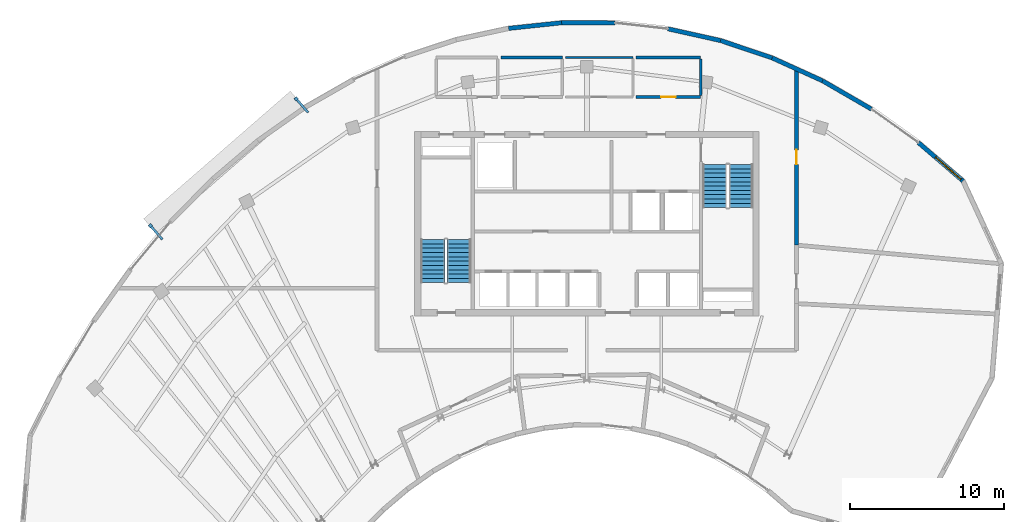
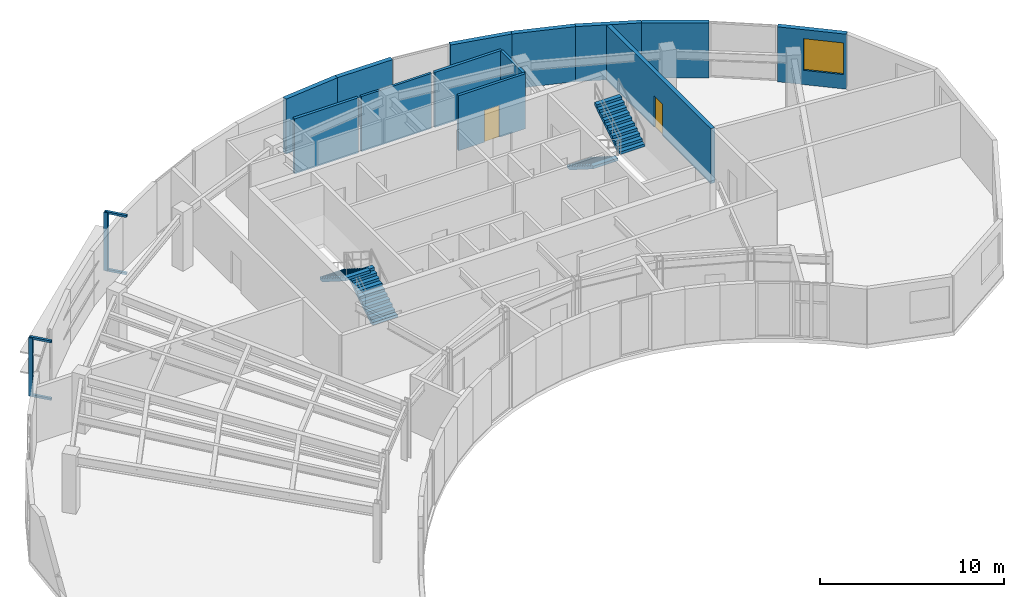
# One storey, part 11 of 12: 13 walls, 6 discrete accessories, 4 stair flights, 2 doors, 1 window, 3 openings, 2 elements without a shape of their own.
"""IFC4 building model written with IfcOpenShell, lengths in metres."""

import ifcopenshell
import ifcopenshell.guid

model = None  # the IFC model being written
_history = None  # IfcOwnerHistory: only IFC2X3 demands one
_inside = {}  # id of a spatial element -> (the spatial element, [elements in it])
_under = {}  # id of a project, library or spatial element -> (it, [spatial elements below it])
_declared = {}  # id of a project -> (the project, [libraries it declares])
_typed = {}  # id of a type object -> (the type object, [elements of that type])
_made_of = {}  # id of a material, layer set ... -> (it, [elements and type objects made of it])


def new_model(schema):
    """Start an empty IFC model of exactly this schema.

    Asked for "IFC4X3", IfcOpenShell would pick the latest addendum, in which some entities
    have other attributes; the version numbers below select the first issue.
    IFC2X3 requires an IfcOwnerHistory on every rooted entity: one is made here for all.
    """
    global model, _history
    if schema == "IFC4X3":
        model = ifcopenshell.file(schema_version=(4, 3, 0, 0))
    else:
        model = ifcopenshell.file(schema=schema)
    _inside.clear()
    _under.clear()
    _declared.clear()
    _typed.clear()
    _made_of.clear()
    _history = None
    if model.schema == "IFC2X3":
        org = make("IfcOrganization", Name="unknown")
        user = make(
            "IfcPersonAndOrganization",
            ThePerson=make("IfcPerson", FamilyName="unknown"),
            TheOrganization=org,
        )
        app = make(
            "IfcApplication",
            ApplicationDeveloper=org,
            Version="unknown",
            ApplicationFullName="unknown",
            ApplicationIdentifier="unknown",
        )
        _history = make(
            "IfcOwnerHistory",
            OwningUser=user,
            OwningApplication=app,
            ChangeAction="ADDED",
            CreationDate=0,
        )
    return model


def make(cls, **values):
    """One entity of the class cls with the attributes given. An attribute that is None is left unset."""
    return model.create_entity(
        cls, **{name: value for name, value in values.items() if value is not None}
    )


def rooted(cls, **values):
    """An entity with a GlobalId (a new one), such as an element, a storey or a relation."""
    return make(cls, GlobalId=ifcopenshell.guid.new(), OwnerHistory=_history, **values)


def si_unit(unit_type, name, prefix=None):
    """IfcSIUnit, for example si_unit("LENGTHUNIT", "METRE", prefix="MILLI")."""
    return make("IfcSIUnit", UnitType=unit_type, Prefix=prefix, Name=name)


def assignment(units):
    """IfcUnitAssignment: the units of a project."""
    return None if units is None else make("IfcUnitAssignment", Units=units)


def point(xyz):
    """IfcCartesianPoint."""
    return None if xyz is None else make("IfcCartesianPoint", Coordinates=xyz)


def direction(xyz):
    """IfcDirection."""
    return None if xyz is None else make("IfcDirection", DirectionRatios=xyz)


def frame(location, z_axis=None, x_axis=None):
    """IfcAxis2Placement3D, a coordinate frame: its origin and axes. An axis left out is left unset."""
    return make(
        "IfcAxis2Placement3D",
        Location=point(location),
        Axis=direction(z_axis),
        RefDirection=direction(x_axis),
    )


def frame_2d(location, x_axis=None):
    """IfcAxis2Placement2D, a coordinate frame in the plane: its origin and x axis."""
    return make(
        "IfcAxis2Placement2D", Location=point(location), RefDirection=direction(x_axis)
    )


def origin():
    """The frame at (0, 0, 0) with its axes left unset."""
    return frame((0.0, 0.0, 0.0))


def origin_2d():
    """The frame at (0, 0) in the plane with its x axis left unset."""
    return frame_2d((0.0, 0.0))


def place(relative_to, where):
    """IfcLocalPlacement: puts the frame where relative to a parent placement (None: the world)."""
    return make(
        "IfcLocalPlacement", PlacementRelTo=relative_to, RelativePlacement=where
    )


def context(
    kind, dimensions, precision=None, world=None, true_north=None, identifier=None
):
    """IfcGeometricRepresentationContext, for example the 3D "Model" context."""
    return make(
        "IfcGeometricRepresentationContext",
        ContextIdentifier=identifier,
        ContextType=kind,
        CoordinateSpaceDimension=dimensions,
        Precision=precision,
        WorldCoordinateSystem=world,
        TrueNorth=true_north,
    )


def subcontext(parent, identifier, kind, view, scale=None):
    """IfcGeometricRepresentationSubContext, for example "Body" below "Model"."""
    return make(
        "IfcGeometricRepresentationSubContext",
        ContextIdentifier=identifier,
        ContextType=kind,
        ParentContext=parent,
        TargetScale=scale,
        TargetView=view,
    )


def project(units=None, contexts=None):
    """IfcProject with its units and contexts."""
    return rooted(
        "IfcProject",
        Name="project",
        RepresentationContexts=contexts,
        UnitsInContext=assignment(units),
    )


def spatial(cls, under=None, at=None, **own):
    """A site, building, storey or space (cls), placed at a placement, below another one or the project."""
    s = rooted(cls, ObjectPlacement=at, **own)
    if under is not None:
        _under.setdefault(under.id(), (under, []))[1].append(s)
    return s


def polyline(points):
    """IfcPolyline through the points."""
    return make("IfcPolyline", Points=[point(p) for p in points])


def profile(cls, at=None, kind="AREA", **sizes):
    """A parametric profile (cls). Its sizes go by their IFC names, for example OverallWidth=200.0."""
    return make(cls, ProfileType=kind, Position=at, **sizes)


def rectangle(**sizes):
    """IfcRectangleProfileDef."""
    return profile("IfcRectangleProfileDef", **sizes)


def outline(outer, holes=None, kind="AREA"):
    """IfcArbitraryClosedProfileDef: a profile drawn as a closed curve; with holes, ...WithVoids."""
    if holes is None:
        return make("IfcArbitraryClosedProfileDef", ProfileType=kind, OuterCurve=outer)
    return make(
        "IfcArbitraryProfileDefWithVoids",
        ProfileType=kind,
        OuterCurve=outer,
        InnerCurves=holes,
    )


def extrude(swept, where, along, depth):
    """IfcExtrudedAreaSolid: the profile swept, set in the frame where, extruded along a direction by depth."""
    return make(
        "IfcExtrudedAreaSolid",
        SweptArea=swept,
        Position=where,
        ExtrudedDirection=direction(along),
        Depth=depth,
    )


def shape(context_of_items, identifier, shape_type, items):
    """IfcShapeRepresentation: the items that make up one representation, for example the "Body"."""
    return make(
        "IfcShapeRepresentation",
        ContextOfItems=context_of_items,
        RepresentationIdentifier=identifier,
        RepresentationType=shape_type,
        Items=items,
    )


def source(mapping_origin, context_of_items, identifier, shape_type, items):
    """IfcRepresentationMap: a shape defined once, which mapped items show again and again."""
    return make(
        "IfcRepresentationMap",
        MappingOrigin=mapping_origin,
        MappedRepresentation=shape(context_of_items, identifier, shape_type, items),
    )


def transform(
    local_origin,
    x_axis=None,
    y_axis=None,
    z_axis=None,
    scale=None,
    scale2=None,
    scale3=None,
    uniform=True,
):
    """IfcCartesianTransformationOperator3D, or its non-uniform kind. x_axis, y_axis, z_axis: its Axis1, 2, 3."""
    if uniform:
        return make(
            "IfcCartesianTransformationOperator3D",
            Axis1=direction(x_axis),
            Axis2=direction(y_axis),
            LocalOrigin=point(local_origin),
            Scale=scale,
            Axis3=direction(z_axis),
        )
    return make(
        "IfcCartesianTransformationOperator3DnonUniform",
        Axis1=direction(x_axis),
        Axis2=direction(y_axis),
        LocalOrigin=point(local_origin),
        Scale=scale,
        Axis3=direction(z_axis),
        Scale2=scale2,
        Scale3=scale3,
    )


def mapped(mapping_source, mapping_target):
    """IfcMappedItem: shows the shape of a source again, moved by a transform."""
    return make(
        "IfcMappedItem", MappingSource=mapping_source, MappingTarget=mapping_target
    )


def material(Name=None, Category=None):
    """IfcMaterial."""
    return make("IfcMaterial", Name=Name, Category=Category)


def layer(
    of_material, thickness, ventilated=None, Name=None, Category=None, Priority=None
):
    """IfcMaterialLayer: one layer of a wall or slab, of a material (None: an air gap)."""
    return make(
        "IfcMaterialLayer",
        Material=of_material,
        LayerThickness=thickness,
        IsVentilated=ventilated,
        Name=Name,
        Category=Category,
        Priority=Priority,
    )


def layer_set(layers, Name=None):
    """IfcMaterialLayerSet."""
    return make("IfcMaterialLayerSet", MaterialLayers=layers, LayerSetName=Name)


def made_of(thing, what):
    """Note that an element or type object is made of a material, layer set ...; save() writes the relation."""
    if what is not None:
        _made_of.setdefault(what.id(), (what, []))[1].append(thing)
    return thing


def type_object(cls, material=None, **own):
    """A type object (cls), such as IfcWallType, which elements share."""
    return made_of(rooted(cls, **own), material)


def type_shapes(of_type, sources):
    """Give a type object the sources (RepresentationMaps) that its elements show as mapped items."""
    of_type.RepresentationMaps = sources


def element(
    cls,
    number,
    at=None,
    inside=None,
    cuts=None,
    type_object=None,
    material=None,
    context=None,
    identifier="Body",
    shape_type=None,
    held_by="IfcProductDefinitionShape",
    body=None,
    shapes=None,
    **own,
):
    """One element of the class cls, such as IfcWall. Its Tag is "e" and its number.

    at: its placement. inside: the storey or other place that contains it. cuts: it is an
    opening in that element (IfcRelVoidsElement). A single representation is given by context,
    identifier, shape_type and body (its items); several are given by shapes. held_by: the class
    of the entity that holds the representations. save() writes the other relations.
    """
    e = rooted(cls, Tag="e%d" % number, ObjectPlacement=at, **own)
    if body is not None:
        shapes = [shape(context, identifier, shape_type, body)]
    if shapes is not None:
        e.Representation = make(held_by, Representations=shapes)
    if inside is not None:
        _inside.setdefault(inside.id(), (inside, []))[1].append(e)
    if cuts is not None:
        rooted(
            "IfcRelVoidsElement", RelatingBuildingElement=cuts, RelatedOpeningElement=e
        )
    if type_object is not None:
        _typed.setdefault(type_object.id(), (type_object, []))[1].append(e)
    return made_of(e, material)


def fill(opening, filler):
    """IfcRelFillsElement: the door or window that sits in an opening."""
    return rooted(
        "IfcRelFillsElement",
        RelatingOpeningElement=opening,
        RelatedBuildingElement=filler,
    )


def aggregate(whole, parts):
    """IfcRelAggregates: a whole, such as a stair, and the parts it consists of."""
    return rooted("IfcRelAggregates", RelatingObject=whole, RelatedObjects=parts)


def save(model, path):
    """Write the relations noted so far, then the file.

    IfcRelAggregates (storeys below a building ...), IfcRelContainedInSpatialStructure (elements
    in a storey), IfcRelDefinesByType, IfcRelAssociatesMaterial and IfcRelDeclares: one each for
    every whole, place, type object, material and project.
    """
    for whole, parts in _under.values():
        aggregate(whole, parts)
    for where, things in _inside.values():
        rooted(
            "IfcRelContainedInSpatialStructure",
            RelatedElements=things,
            RelatingStructure=where,
        )
    for kind, things in _typed.values():
        rooted("IfcRelDefinesByType", RelatedObjects=things, RelatingType=kind)
    for what, things in _made_of.values():
        rooted("IfcRelAssociatesMaterial", RelatedObjects=things, RelatingMaterial=what)
    for by, libraries in _declared.values():
        rooted("IfcRelDeclares", RelatingContext=by, RelatedDefinitions=libraries)
    model.write(path)


model = new_model("IFC4")

# Units and contexts
model_context = context("Model", 3, precision=1e-05, world=origin(), true_north=direction((0.0, 1.0)))
body_context = subcontext(model_context, "Body", "Model", "MODEL_VIEW")
ifc_project = project(units=[si_unit("LENGTHUNIT", "METRE"), si_unit("AREAUNIT", "SQUARE_METRE"), si_unit("VOLUMEUNIT", "CUBIC_METRE"), si_unit("PLANEANGLEUNIT", "RADIAN"), si_unit("MASSUNIT", "GRAM", prefix="KILO")], contexts=[model_context])

# Site, building, storey
site_placement = place(None, origin())
site = spatial("IfcSite", under=ifc_project, at=site_placement, CompositionType="ELEMENT")
building_placement = place(site_placement, origin())
building = spatial("IfcBuilding", under=site, at=building_placement, Name="Breltana Convention Tower", CompositionType="ELEMENT")
storey_placement = place(building_placement, frame((0.0, 0.0, 260.10009765625)))
storey = spatial("IfcBuildingStorey", under=building, at=storey_placement, Name="L63", CompositionType="ELEMENT", Elevation=260.10009765625)

# Walls
ifc_material_1 = material(Name="Limestone Buff Insulated Wall", Category="masonry")
ifc_layer_1 = layer(ifc_material_1, 0.280029296875, Name="Limestone Buff Insulated Wall")
ifc_layer_set_1 = layer_set([ifc_layer_1], Name="Limestone Buff Insulated Wall")
wall_type_1 = type_object("IfcWallType", Name="WL-EXT-NOSE-280", PredefinedType="SOLIDWALL", material=ifc_layer_set_1)
shared_shape_1 = source(origin(), body_context, "Body", "SweptSolid", [
    extrude(rectangle(XDim=3.469970703125, YDim=0.280029296875, at=frame_2d((1.73486328125, 0.0))), origin(), (0.0, 0.0, 1.0), 3.64990234375),
])
wall_1_placement = place(storey_placement, frame((42.911865234375, 78.897705078125, 0.0), z_axis=(0.0, 0.0, 1.0), x_axis=(0.994423031906, 0.105464845396, 0.0)))
element("IfcWall", 1, at=wall_1_placement, inside=storey, type_object=wall_type_1, Name="L63 curved limestone nose wall E27", PredefinedType="SOLIDWALL", context=body_context, shape_type="MappedRepresentation", body=[
    mapped(shared_shape_1, transform((0.0, 0.0, 0.0), scale=1.0)),
])
shared_shape_2 = source(origin(), body_context, "Body", "SweptSolid", [
    extrude(rectangle(XDim=3.4609375, YDim=0.280029296875, at=frame_2d((1.73046875, 0.0))), origin(), (0.0, 0.0, 1.0), 3.64990234375),
])
wall_2_placement = place(storey_placement, frame((46.362548828125, 79.263671875, 0.0), z_axis=(0.0, 0.0, 1.0), x_axis=(0.999995611073, -0.002962740947, 0.0)))
element("IfcWall", 2, at=wall_2_placement, inside=storey, type_object=wall_type_1, Name="L63 curved limestone nose wall E28", PredefinedType="SOLIDWALL", context=body_context, shape_type="MappedRepresentation", body=[
    mapped(shared_shape_2, transform((0.0, 0.0, 0.0), scale=1.0)),
])
shared_shape_3 = source(origin(), body_context, "Body", "SweptSolid", [
    extrude(rectangle(XDim=3.49853515625, YDim=0.280029296875, at=frame_2d((1.749267578125, 0.0))), origin(), (0.0, 0.0, 1.0), 3.64990234375),
])
wall_3_placement = place(storey_placement, frame((53.27294921875, 78.867431640625, 0.0), z_axis=(0.0, 0.0, 1.0), x_axis=(0.976149279518, -0.217100400957, 0.0)))
element("IfcWall", 3, at=wall_3_placement, inside=storey, type_object=wall_type_1, Name="L63 curved limestone nose wall E29", PredefinedType="SOLIDWALL", context=body_context, shape_type="MappedRepresentation", body=[
    mapped(shared_shape_3, transform((0.0, 0.0, 0.0), scale=1.0)),
])
shared_shape_4 = source(origin(), body_context, "Body", "SweptSolid", [
    extrude(rectangle(XDim=3.54296875, YDim=0.280029296875, at=frame_2d((1.771484375, 0.0))), origin(), (0.0, 0.0, 1.0), 3.64990234375),
])
wall_4_placement = place(storey_placement, frame((56.68798828125, 78.10791015625, 0.0), z_axis=(0.0, 0.0, 1.0), x_axis=(0.947922565312, -0.318500879389, 0.0)))
element("IfcWall", 4, at=wall_4_placement, inside=storey, type_object=wall_type_1, Name="L63 curved limestone nose wall E30", PredefinedType="SOLIDWALL", context=body_context, shape_type="MappedRepresentation", body=[
    mapped(shared_shape_4, transform((0.0, 0.0, 0.0), scale=1.0)),
])
shared_shape_5 = source(origin(), body_context, "Body", "SweptSolid", [
    extrude(rectangle(XDim=3.6025390625, YDim=0.280029296875, at=frame_2d((1.80126953125, 0.0))), origin(), (0.0, 0.0, 1.0), 3.64990234375),
])
wall_5_placement = place(storey_placement, frame((60.04638671875, 76.9794921875, 0.0), z_axis=(0.0, 0.0, 1.0), x_axis=(0.910463926817, -0.413588488676, 0.0)))
element("IfcWall", 5, at=wall_5_placement, inside=storey, type_object=wall_type_1, Name="L63 curved limestone nose wall E31", PredefinedType="SOLIDWALL", context=body_context, shape_type="MappedRepresentation", body=[
    mapped(shared_shape_5, transform((0.0, 0.0, 0.0), scale=1.0)),
])
shared_shape_6 = source(origin(), body_context, "Body", "SweptSolid", [
    extrude(rectangle(XDim=3.6748046875, YDim=0.280029296875, at=frame_2d((1.83740234375, 0.0))), origin(), (0.0, 0.0, 1.0), 3.64990234375),
])
wall_6_placement = place(storey_placement, frame((63.326416015625, 75.489501953125, 0.0), z_axis=(0.0, 0.0, 1.0), x_axis=(0.865333783584, -0.501196012542, 0.0)))
element("IfcWall", 6, at=wall_6_placement, inside=storey, type_object=wall_type_1, Name="L63 curved limestone nose wall E32", PredefinedType="SOLIDWALL", context=body_context, shape_type="MappedRepresentation", body=[
    mapped(shared_shape_6, transform((0.0, 0.0, 0.0), scale=1.0)),
])

# Wall, opening, window
shared_shape_7 = source(origin(), body_context, "Body", "SweptSolid", [
    extrude(rectangle(XDim=3.816162109375, YDim=0.280029296875, at=frame_2d((1.908203125, 0.0))), origin(), (0.0, 0.0, 1.0), 3.64990234375),
])
wall_7_placement = place(storey_placement, frame((69.5654296875, 71.466064453125, 0.0), z_axis=(0.0, 0.0, 1.0), x_axis=(0.758388845672, -0.651802392417, 0.0)))
wall_7 = element("IfcWall", 7, at=wall_7_placement, inside=storey, type_object=wall_type_1, Name="L63 curved limestone nose wall E33", PredefinedType="SOLIDWALL", context=body_context, shape_type="MappedRepresentation", body=[
    mapped(shared_shape_7, transform((0.0, 0.0, 0.0), scale=1.0)),
])
opening_1_placement = place(wall_7_placement, frame((1.455810546875, 0.0, 0.949951171875)))
opening_1 = element("IfcOpeningElement", 8, at=opening_1_placement, cuts=wall_7, Name="Opening W-03", PredefinedType="OPENING", context=body_context, shape_type="SweptSolid", body=[
    extrude(rectangle(XDim=2.199951171875, YDim=2.10009765625, at=frame_2d((1.10009765625, 1.050048828125))), frame((0.0, 0.14990234375, 0.0), z_axis=(0.0, -1.0, 0.0), x_axis=(1.0, 0.0, 0.0)), (0.0, 0.0, 1.0), 0.300048828125),
])
ifc_material_2 = material(Name="Glass Low-E Insulated Window", Category="glass")
window_type = type_object("IfcWindowType", Name="WN-NOSE-2200X2100", PartitioningType="TRIPLE_PANEL_VERTICAL", PredefinedType="WINDOW", material=ifc_material_2)
shared_shape_8 = source(origin(), body_context, "Body", "SweptSolid", [
    extrude(rectangle(XDim=2.199951171875, YDim=2.10009765625, at=frame_2d((1.10009765625, 1.050048828125))), frame((0.0, 0.030029296875, 0.0), z_axis=(0.0, -1.0, 0.0), x_axis=(1.0, 0.0, 0.0)), (0.0, 0.0, 1.0), 0.06005859375),
])
type_shapes(window_type, [shared_shape_8])
window_placement = place(opening_1_placement, origin())
window = element("IfcWindow", 9, at=window_placement, inside=storey, type_object=window_type, Name="L63 nose window E33", OverallHeight=2.10009765625, OverallWidth=2.199951171875, PartitioningType="TRIPLE_PANEL_VERTICAL", PredefinedType="WINDOW", context=body_context, shape_type="MappedRepresentation", body=[
    mapped(shared_shape_8, transform((0.0, 0.0, 0.0), scale=1.0)),
])
fill(opening_1, window)

# Walls
ifc_material_3 = material(Name="Moisture-Resistant Gypsum Chase Wall")
ifc_layer_2 = layer(ifc_material_3, 0.179931640625, Name="Moisture-Resistant Gypsum Chase Wall")
ifc_layer_set_2 = layer_set([ifc_layer_2], Name="Moisture-Resistant Gypsum Chase Wall")
wall_type_2 = type_object("IfcWallType", Name="WL-PLUMB-180", PredefinedType="PLUMBINGWALL", material=ifc_layer_set_2)
shared_shape_9 = source(origin(), body_context, "Body", "SweptSolid", [
    extrude(rectangle(XDim=4.0, YDim=0.179931640625, at=frame_2d((2.0, 0.0))), origin(), (0.0, 0.0, 1.0), 3.64990234375),
])
wall_8_placement = place(storey_placement, frame((42.39990234375, 77.0, 0.0), z_axis=(0.0, 0.0, 1.0), x_axis=(1.0, 0.0, 0.0)))
element("IfcWall", 10, at=wall_8_placement, inside=storey, type_object=wall_type_2, Name="L63 interior partition W-L63-WCF-N", PredefinedType="PLUMBINGWALL", context=body_context, shape_type="MappedRepresentation", body=[
    mapped(shared_shape_9, transform((0.0, 0.0, 0.0), scale=1.0)),
])
ifc_material_4 = material(Name="Cement Board Wet-Area Partition")
ifc_layer_3 = layer(ifc_material_4, 0.175048828125, Name="Cement Board Wet-Area Partition")
ifc_layer_set_3 = layer_set([ifc_layer_3], Name="Cement Board Wet-Area Partition")
wall_type_3 = type_object("IfcWallType", Name="WL-WET-175", PredefinedType="PARTITIONING", material=ifc_layer_set_3)
shared_shape_10 = source(origin(), body_context, "Body", "SweptSolid", [
    extrude(rectangle(XDim=2.402587890625, YDim=0.175048828125, at=frame_2d((1.201171875, 0.0))), origin(), (0.0, 0.0, 1.0), 3.64990234375),
])
wall_9_placement = place(storey_placement, frame((55.39990234375, 74.518798828125, 0.0), z_axis=(0.0, 0.0, 1.0), x_axis=(0.0, 1.0, 0.0)))
element("IfcWall", 11, at=wall_9_placement, inside=storey, type_object=wall_type_3, Name="L63 interior partition W-L63-WCA-E", PredefinedType="PARTITIONING", context=body_context, shape_type="MappedRepresentation", body=[
    mapped(shared_shape_10, transform((0.0, 0.0, 0.0), scale=1.0)),
])
ifc_material_5 = material(Name="Gypsum Acoustic Drywall Partition")
ifc_layer_4 = layer(ifc_material_5, 0.14990234375, Name="Gypsum Acoustic Drywall Partition")
ifc_layer_set_4 = layer_set([ifc_layer_4], Name="Gypsum Acoustic Drywall Partition")
wall_type_4 = type_object("IfcWallType", Name="WL-PART-150", PredefinedType="PARTITIONING", material=ifc_layer_set_4)
shared_shape_11 = source(origin(), body_context, "Body", "SweptSolid", [
    extrude(rectangle(XDim=4.39990234375, YDim=0.14990234375, at=frame_2d((2.199951171875, 0.0))), origin(), (0.0, 0.0, 1.0), 3.64990234375),
])
wall_10_placement = place(storey_placement, frame((46.60009765625, 77.0, 0.0), z_axis=(0.0, 0.0, 1.0), x_axis=(1.0, 0.0, 0.0)))
element("IfcWall", 12, at=wall_10_placement, inside=storey, type_object=wall_type_4, Name="L63 interior partition W-L63-PNT-N", PredefinedType="PARTITIONING", context=body_context, shape_type="MappedRepresentation", body=[
    mapped(shared_shape_11, transform((0.0, 0.0, 0.0), scale=1.0)),
])

# Wall, opening, door
shared_shape_12 = source(origin(), body_context, "Body", "SweptSolid", [
    extrude(rectangle(XDim=4.199951171875, YDim=0.175048828125, at=frame_2d((2.10009765625, 0.0))), origin(), (0.0, 0.0, 1.0), 3.64990234375),
])
wall_11_placement = place(storey_placement, frame((51.199951171875, 74.43994140625, 0.0), z_axis=(0.0, 0.0, 1.0), x_axis=(1.0, 0.0, 0.0)))
wall_11 = element("IfcWall", 13, at=wall_11_placement, inside=storey, type_object=wall_type_3, Name="L63 interior partition W-L63-WCA-S", PredefinedType="PARTITIONING", context=body_context, shape_type="MappedRepresentation", body=[
    mapped(shared_shape_12, transform((0.0, 0.0, 0.0), scale=1.0)),
])
opening_2_placement = place(wall_11_placement, frame((1.625, 0.0, 0.0)))
opening_2 = element("IfcOpeningElement", 14, at=opening_2_placement, cuts=wall_11, Name="Opening D-16", PredefinedType="OPENING", context=body_context, shape_type="SweptSolid", body=[
    extrude(rectangle(XDim=0.949951171875, YDim=2.1201171875, at=frame_2d((0.47509765625, 1.06005859375))), frame((0.0, 0.09765625, 0.0), z_axis=(0.0, -1.0, 0.0), x_axis=(1.0, 0.0, 0.0)), (0.0, 0.0, 1.0), 0.195068359375),
])
ifc_material_6 = material(Name="Timber Laminate Accessible Door", Category="wood")
door_type_1 = type_object("IfcDoorType", Name="DR-ACC-950", OperationType="NOTDEFINED", PredefinedType="DOOR", material=ifc_material_6)
shared_shape_13 = source(origin(), body_context, "Body", "SweptSolid", [
    extrude(rectangle(XDim=0.949951171875, YDim=2.1201171875, at=frame_2d((0.47509765625, 1.06005859375))), frame((0.0, 0.02490234375, 0.0), z_axis=(0.0, -1.0, 0.0), x_axis=(1.0, 0.0, 0.0)), (0.0, 0.0, 1.0), 0.050048828125),
])
type_shapes(door_type_1, [shared_shape_13])
door_1_placement = place(opening_2_placement, origin())
door_1 = element("IfcDoor", 15, at=door_1_placement, inside=storey, type_object=door_type_1, Name="L63 interior door D-L63-WCA", OperationType="SINGLE_SWING_RIGHT", OverallHeight=2.1201171875, OverallWidth=0.949951171875, PredefinedType="DOOR", context=body_context, shape_type="MappedRepresentation", body=[
    mapped(shared_shape_13, transform((0.0, 0.0, 0.0), scale=1.0)),
])
fill(opening_2, door_1)

# Wall
shared_shape_14 = source(origin(), body_context, "Body", "SweptSolid", [
    extrude(rectangle(XDim=4.199951171875, YDim=0.179931640625, at=frame_2d((2.10009765625, 0.0))), origin(), (0.0, 0.0, 1.0), 3.64990234375),
])
wall_12_placement = place(storey_placement, frame((51.199951171875, 77.0, 0.0), z_axis=(0.0, 0.0, 1.0), x_axis=(1.0, 0.0, 0.0)))
element("IfcWall", 16, at=wall_12_placement, inside=storey, type_object=wall_type_2, Name="L63 interior partition W-L63-WCA-N", PredefinedType="PLUMBINGWALL", context=body_context, shape_type="MappedRepresentation", body=[
    mapped(shared_shape_14, transform((0.0, 0.0, 0.0), scale=1.0)),
])

# Wall, opening, door
ifc_material_7 = material(Name="Gypsum Acoustic Double Stud Wall")
ifc_layer_5 = layer(ifc_material_7, 0.25, Name="Gypsum Acoustic Double Stud Wall")
ifc_layer_set_5 = layer_set([ifc_layer_5], Name="Gypsum Acoustic Double Stud Wall")
wall_type_5 = type_object("IfcWallType", Name="WL-ACOUSTIC-250", PredefinedType="PARTITIONING", material=ifc_layer_set_5)
shared_shape_15 = source(origin(), body_context, "Body", "SweptSolid", [
    extrude(rectangle(XDim=11.444580078125, YDim=0.25, at=frame_2d((5.72216796875, 0.0))), origin(), (0.0, 0.0, 1.0), 3.64990234375),
])
wall_13_placement = place(storey_placement, frame((61.639892578125, 64.800048828125, 0.0), z_axis=(0.0, 0.0, 1.0), x_axis=(0.0, 1.0, 0.0)))
wall_13 = element("IfcWall", 17, at=wall_13_placement, inside=storey, type_object=wall_type_5, Name="L63 interior partition W-L63-EXE3-ENT", PredefinedType="PARTITIONING", context=body_context, shape_type="MappedRepresentation", body=[
    mapped(shared_shape_15, transform((0.0, 0.0, 0.0), scale=1.0)),
])
opening_3_placement = place(wall_13_placement, frame((5.247314453125, 0.0, 0.0)))
opening_3 = element("IfcOpeningElement", 18, at=opening_3_placement, cuts=wall_13, Name="Opening D-17", PredefinedType="OPENING", context=body_context, shape_type="SweptSolid", body=[
    extrude(rectangle(XDim=0.949951171875, YDim=2.10009765625, at=frame_2d((0.47509765625, 1.050048828125))), frame((0.0, 0.135009765625, 0.0), z_axis=(0.0, -1.0, 0.0), x_axis=(1.0, 0.0, 0.0)), (0.0, 0.0, 1.0), 0.27001953125),
])
ifc_material_8 = material(Name="Timber Oak Veneer Door", Category="wood")
door_type_2 = type_object("IfcDoorType", Name="DR-INT-950", OperationType="NOTDEFINED", PredefinedType="DOOR", material=ifc_material_8)
shared_shape_16 = source(origin(), body_context, "Body", "SweptSolid", [
    extrude(rectangle(XDim=0.949951171875, YDim=2.10009765625, at=frame_2d((0.47509765625, 1.050048828125))), frame((0.0, 0.02490234375, 0.0), z_axis=(0.0, -1.0, 0.0), x_axis=(1.0, 0.0, 0.0)), (0.0, 0.0, 1.0), 0.050048828125),
])
type_shapes(door_type_2, [shared_shape_16])
door_2_placement = place(opening_3_placement, origin())
door_2 = element("IfcDoor", 19, at=door_2_placement, inside=storey, type_object=door_type_2, Name="L63 interior door D-L63-EXE3", OperationType="SINGLE_SWING_RIGHT", OverallHeight=2.10009765625, OverallWidth=0.949951171875, PredefinedType="DOOR", context=body_context, shape_type="MappedRepresentation", body=[
    mapped(shared_shape_16, transform((0.0, 0.0, 0.0), scale=1.0)),
])
fill(opening_3, door_2)

# Stair, stair flights
ifc_material_9 = material(Name="Concrete C40/50", Category="concrete")
stair_type = type_object("IfcStairType", Name="ST-DOG-1560-R177", PredefinedType="HALF_TURN_STAIR", material=ifc_material_9)
stair_1_placement = place(storey_placement, origin())
stair_1 = element("IfcStair", 20, at=stair_1_placement, inside=storey, type_object=stair_type, Name="L63 Protected Core Exit Stair ST-1", PredefinedType="HALF_TURN_STAIR")
stair_flight_type = type_object("IfcStairFlightType", Name="STF-DOG-1560-N11-R177", PredefinedType="STRAIGHT", material=ifc_material_9)
stair_flight_1_placement = place(storey_placement, frame((39.68994140625, 62.360107421875, 0.0), z_axis=(0.0, 0.0, 1.0), x_axis=(0.0, 1.0, 0.0)))
stair_flight_1 = element("IfcStairFlight", 21, at=stair_flight_1_placement, type_object=stair_flight_type, Name="ST-1 flight 1", NumberOfRisers=11, NumberOfTreads=10, PredefinedType="STRAIGHT", RiserHeight=0.177272727, TreadLength=0.28, context=body_context, shape_type="SweptSolid", body=[
    extrude(outline(polyline([(0.0, 0.0), (0.0, 0.17724609375), (0.280029296875, 0.17724609375), (0.280029296875, 0.3544921875), (0.56005859375, 0.3544921875), (0.56005859375, 0.53173828125), (0.840087890625, 0.53173828125), (0.840087890625, 0.708984375), (1.1201171875, 0.708984375), (1.1201171875, 0.886474609375), (1.39990234375, 0.886474609375), (1.39990234375, 1.063720703125), (1.679931640625, 1.063720703125), (1.679931640625, 1.240966796875), (1.9599609375, 1.240966796875), (1.9599609375, 1.418212890625), (2.239990234375, 1.418212890625), (2.239990234375, 1.595458984375), (2.52001953125, 1.595458984375), (2.52001953125, 1.772705078125), (2.800048828125, 1.772705078125), (2.800048828125, 1.949951171875), (2.800048828125, 1.59521484375), (0.2802734375, 0.0), (0.0, 0.0)])), frame((0.0, 0.780029296875, 0.0), z_axis=(0.0, -1.0, 0.0), x_axis=(1.0, 0.0, 0.0)), (0.0, 0.0, 1.0), 1.56005859375),
])
stair_flight_2_placement = place(storey_placement, frame((37.97998046875, 65.159912109375, 1.949951171875), z_axis=(0.0, 0.0, 1.0), x_axis=(0.0, -1.0, 0.0)))
stair_flight_2 = element("IfcStairFlight", 22, at=stair_flight_2_placement, type_object=stair_flight_type, Name="ST-1 flight 2", NumberOfRisers=11, NumberOfTreads=10, PredefinedType="STRAIGHT", RiserHeight=0.177272727, TreadLength=0.28, context=body_context, shape_type="SweptSolid", body=[
    extrude(outline(polyline([(0.0, 0.0), (0.0, 0.17724609375), (0.280029296875, 0.17724609375), (0.280029296875, 0.3544921875), (0.56005859375, 0.3544921875), (0.56005859375, 0.53173828125), (0.840087890625, 0.53173828125), (0.840087890625, 0.708984375), (1.1201171875, 0.708984375), (1.1201171875, 0.886474609375), (1.39990234375, 0.886474609375), (1.39990234375, 1.063720703125), (1.679931640625, 1.063720703125), (1.679931640625, 1.240966796875), (1.9599609375, 1.240966796875), (1.9599609375, 1.418212890625), (2.239990234375, 1.418212890625), (2.239990234375, 1.595458984375), (2.52001953125, 1.595458984375), (2.52001953125, 1.772705078125), (2.800048828125, 1.772705078125), (2.800048828125, 1.949951171875), (2.800048828125, 1.59521484375), (0.2802734375, 0.0), (0.0, 0.0)])), frame((0.0, 0.780029296875, 0.0), z_axis=(0.0, -1.0, 0.0), x_axis=(1.0, 0.0, 0.0)), (0.0, 0.0, 1.0), 1.56005859375),
])
aggregate(stair_1, [stair_flight_1, stair_flight_2])

stair_2_placement = place(storey_placement, origin())
stair_2 = element("IfcStair", 23, at=stair_2_placement, inside=storey, type_object=stair_type, Name="L63 Protected Core Exit Stair ST-2", PredefinedType="HALF_TURN_STAIR")
stair_flight_3_placement = place(storey_placement, frame((56.31005859375, 70.0400390625, 0.0), z_axis=(0.0, 0.0, 1.0), x_axis=(0.0, -1.0, 0.0)))
stair_flight_3 = element("IfcStairFlight", 24, at=stair_flight_3_placement, type_object=stair_flight_type, Name="ST-2 flight 1", NumberOfRisers=11, NumberOfTreads=10, PredefinedType="STRAIGHT", RiserHeight=0.177272727, TreadLength=0.28, context=body_context, shape_type="SweptSolid", body=[
    extrude(outline(polyline([(0.0, 0.0), (0.0, 0.17724609375), (0.280029296875, 0.17724609375), (0.280029296875, 0.3544921875), (0.56005859375, 0.3544921875), (0.56005859375, 0.53173828125), (0.840087890625, 0.53173828125), (0.840087890625, 0.708984375), (1.1201171875, 0.708984375), (1.1201171875, 0.886474609375), (1.39990234375, 0.886474609375), (1.39990234375, 1.063720703125), (1.679931640625, 1.063720703125), (1.679931640625, 1.240966796875), (1.9599609375, 1.240966796875), (1.9599609375, 1.418212890625), (2.239990234375, 1.418212890625), (2.239990234375, 1.595458984375), (2.52001953125, 1.595458984375), (2.52001953125, 1.772705078125), (2.800048828125, 1.772705078125), (2.800048828125, 1.949951171875), (2.800048828125, 1.59521484375), (0.2802734375, 0.0), (0.0, 0.0)])), frame((0.0, 0.780029296875, 0.0), z_axis=(0.0, -1.0, 0.0), x_axis=(1.0, 0.0, 0.0)), (0.0, 0.0, 1.0), 1.56005859375),
])
stair_flight_4_placement = place(storey_placement, frame((58.02001953125, 67.239990234375, 1.949951171875), z_axis=(0.0, 0.0, 1.0), x_axis=(0.0, 1.0, 0.0)))
stair_flight_4 = element("IfcStairFlight", 25, at=stair_flight_4_placement, type_object=stair_flight_type, Name="ST-2 flight 2", NumberOfRisers=11, NumberOfTreads=10, PredefinedType="STRAIGHT", RiserHeight=0.177272727, TreadLength=0.28, context=body_context, shape_type="SweptSolid", body=[
    extrude(outline(polyline([(0.0, 0.0), (0.0, 0.17724609375), (0.280029296875, 0.17724609375), (0.280029296875, 0.3544921875), (0.56005859375, 0.3544921875), (0.56005859375, 0.53173828125), (0.840087890625, 0.53173828125), (0.840087890625, 0.708984375), (1.1201171875, 0.708984375), (1.1201171875, 0.886474609375), (1.39990234375, 0.886474609375), (1.39990234375, 1.063720703125), (1.679931640625, 1.063720703125), (1.679931640625, 1.240966796875), (1.9599609375, 1.240966796875), (1.9599609375, 1.418212890625), (2.239990234375, 1.418212890625), (2.239990234375, 1.595458984375), (2.52001953125, 1.595458984375), (2.52001953125, 1.772705078125), (2.800048828125, 1.772705078125), (2.800048828125, 1.949951171875), (2.800048828125, 1.59521484375), (0.2802734375, 0.0), (0.0, 0.0)])), frame((0.0, 0.780029296875, 0.0), z_axis=(0.0, -1.0, 0.0), x_axis=(1.0, 0.0, 0.0)), (0.0, 0.0, 1.0), 1.56005859375),
])
aggregate(stair_2, [stair_flight_3, stair_flight_4])

# Discrete accessories
ifc_material_10 = material(Name="Steel S355", Category="steel")
discrete_accessory_type_1 = type_object("IfcDiscreteAccessoryType", Name="ACC-DSF-BRACKET-150", PredefinedType="BRACKET", material=ifc_material_10)
shared_shape_17 = source(origin(), body_context, "Body", "SweptSolid", [
    extrude(rectangle(XDim=1.239990234375, YDim=0.14990234375, at=origin_2d()), origin(), (0.0, 0.0, 1.0), 0.139892578125),
])
type_shapes(discrete_accessory_type_1, [shared_shape_17])
for number, where, z_axis, x_axis, name in (
    (26, (19.97998046875, 65.64794921875, -0.16015625), (0.0, 0.0, 1.0), (-0.656454295279, 0.754365798675, 0.0), "L63 double-skin slab stand-off bracket 1.1B"),
    (27, (19.97998046875, 65.64794921875, 3.64990234375), (0.0, 0.0, 1.0), (-0.656454295279, 0.754365798675, 0.0), "L63 double-skin slab stand-off bracket 1.1T"),
    (28, (29.459716796875, 73.897216796875, -0.16015625), (0.0, 0.0, 1.0), (-0.656454295279, 0.754365798675, 0.0), "L63 double-skin slab stand-off bracket 1.2B"),
    (29, (29.459716796875, 73.897216796875, 3.64990234375), (0.0, 0.0, 1.0), (-0.656454295279, 0.754365798675, 0.0), "L63 double-skin slab stand-off bracket 1.2T"),
):
    element("IfcDiscreteAccessory", number, at=place(storey_placement, frame(where, z_axis=z_axis, x_axis=x_axis)), inside=storey, type_object=discrete_accessory_type_1, Name=name, PredefinedType="BRACKET", context=body_context, shape_type="MappedRepresentation", body=[
        mapped(shared_shape_17, transform((0.0, 0.0, 0.0), scale=1.0)),
    ])
discrete_accessory_type_2 = type_object("IfcDiscreteAccessoryType", Name="ACC-DSF-CARRIER-150", PredefinedType="BRACKET", material=ifc_material_10)
shared_shape_18 = source(origin(), body_context, "Body", "SweptSolid", [
    extrude(rectangle(XDim=0.219970703125, YDim=0.219970703125, at=origin_2d()), origin(), (0.0, 0.0, 1.0), 3.8701171875),
])
for number, where, z_axis, x_axis, name in (
    (30, (19.6123046875, 66.0703125, -0.1201171875), (0.0, 0.0, 1.0), (-0.656454295279, 0.754365798675, 0.0), "L63 double-skin outer vertical carrier 1.1"),
    (31, (29.092041015625, 74.319580078125, -0.1201171875), (0.0, 0.0, 1.0), (-0.656454295279, 0.754365798675, 0.0), "L63 double-skin outer vertical carrier 1.2"),
):
    element("IfcDiscreteAccessory", number, at=place(storey_placement, frame(where, z_axis=z_axis, x_axis=x_axis)), inside=storey, type_object=discrete_accessory_type_2, Name=name, PredefinedType="BRACKET", context=body_context, shape_type="MappedRepresentation", body=[
        mapped(shared_shape_18, transform((0.0, 0.0, 0.0), scale=1.0)),
    ])

save(model, "model.ifc")
